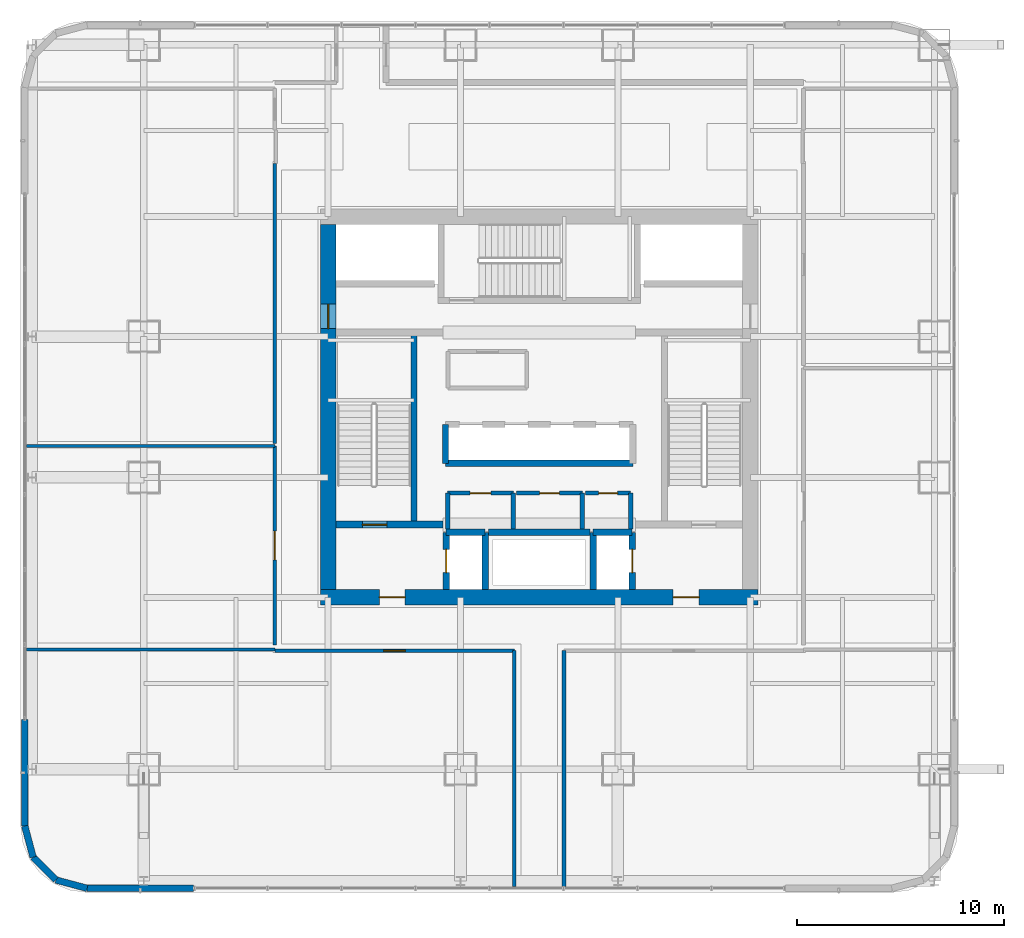
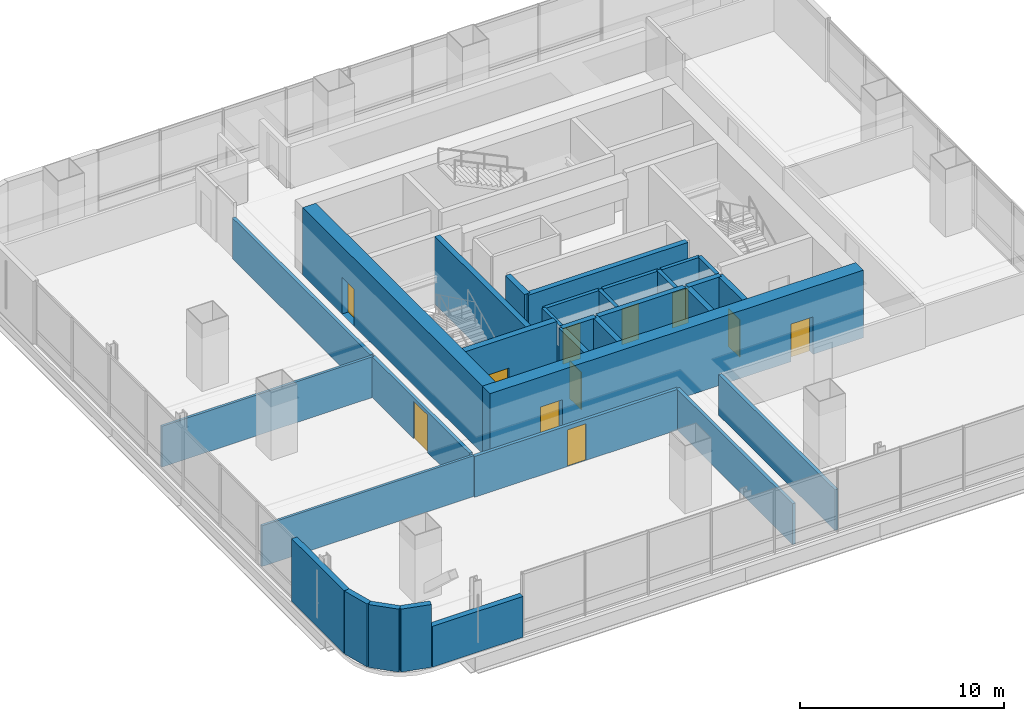
# One storey, part 29 of 45: 32 walls, 11 doors, 11 openings.
"""IFC4 building model written with IfcOpenShell, lengths in metres."""

import ifcopenshell
import ifcopenshell.guid

model = None  # the IFC model being written
_history = None  # IfcOwnerHistory: only IFC2X3 demands one
_inside = {}  # id of a spatial element -> (the spatial element, [elements in it])
_under = {}  # id of a project, library or spatial element -> (it, [spatial elements below it])
_declared = {}  # id of a project -> (the project, [libraries it declares])
_typed = {}  # id of a type object -> (the type object, [elements of that type])
_made_of = {}  # id of a material, layer set ... -> (it, [elements and type objects made of it])


def new_model(schema):
    """Start an empty IFC model of exactly this schema.

    Asked for "IFC4X3", IfcOpenShell would pick the latest addendum, in which some entities
    have other attributes; the version numbers below select the first issue.
    IFC2X3 requires an IfcOwnerHistory on every rooted entity: one is made here for all.
    """
    global model, _history
    if schema == "IFC4X3":
        model = ifcopenshell.file(schema_version=(4, 3, 0, 0))
    else:
        model = ifcopenshell.file(schema=schema)
    _inside.clear()
    _under.clear()
    _declared.clear()
    _typed.clear()
    _made_of.clear()
    _history = None
    if model.schema == "IFC2X3":
        org = make("IfcOrganization", Name="unknown")
        user = make(
            "IfcPersonAndOrganization",
            ThePerson=make("IfcPerson", FamilyName="unknown"),
            TheOrganization=org,
        )
        app = make(
            "IfcApplication",
            ApplicationDeveloper=org,
            Version="unknown",
            ApplicationFullName="unknown",
            ApplicationIdentifier="unknown",
        )
        _history = make(
            "IfcOwnerHistory",
            OwningUser=user,
            OwningApplication=app,
            ChangeAction="ADDED",
            CreationDate=0,
        )
    return model


def make(cls, **values):
    """One entity of the class cls with the attributes given. An attribute that is None is left unset."""
    return model.create_entity(
        cls, **{name: value for name, value in values.items() if value is not None}
    )


def rooted(cls, **values):
    """An entity with a GlobalId (a new one), such as an element, a storey or a relation."""
    return make(cls, GlobalId=ifcopenshell.guid.new(), OwnerHistory=_history, **values)


def si_unit(unit_type, name, prefix=None):
    """IfcSIUnit, for example si_unit("LENGTHUNIT", "METRE", prefix="MILLI")."""
    return make("IfcSIUnit", UnitType=unit_type, Prefix=prefix, Name=name)


def assignment(units):
    """IfcUnitAssignment: the units of a project."""
    return None if units is None else make("IfcUnitAssignment", Units=units)


def point(xyz):
    """IfcCartesianPoint."""
    return None if xyz is None else make("IfcCartesianPoint", Coordinates=xyz)


def direction(xyz):
    """IfcDirection."""
    return None if xyz is None else make("IfcDirection", DirectionRatios=xyz)


def frame(location, z_axis=None, x_axis=None):
    """IfcAxis2Placement3D, a coordinate frame: its origin and axes. An axis left out is left unset."""
    return make(
        "IfcAxis2Placement3D",
        Location=point(location),
        Axis=direction(z_axis),
        RefDirection=direction(x_axis),
    )


def frame_2d(location, x_axis=None):
    """IfcAxis2Placement2D, a coordinate frame in the plane: its origin and x axis."""
    return make(
        "IfcAxis2Placement2D", Location=point(location), RefDirection=direction(x_axis)
    )


def origin():
    """The frame at (0, 0, 0) with its axes left unset."""
    return frame((0.0, 0.0, 0.0))


def place(relative_to, where):
    """IfcLocalPlacement: puts the frame where relative to a parent placement (None: the world)."""
    return make(
        "IfcLocalPlacement", PlacementRelTo=relative_to, RelativePlacement=where
    )


def context(
    kind, dimensions, precision=None, world=None, true_north=None, identifier=None
):
    """IfcGeometricRepresentationContext, for example the 3D "Model" context."""
    return make(
        "IfcGeometricRepresentationContext",
        ContextIdentifier=identifier,
        ContextType=kind,
        CoordinateSpaceDimension=dimensions,
        Precision=precision,
        WorldCoordinateSystem=world,
        TrueNorth=true_north,
    )


def subcontext(parent, identifier, kind, view, scale=None):
    """IfcGeometricRepresentationSubContext, for example "Body" below "Model"."""
    return make(
        "IfcGeometricRepresentationSubContext",
        ContextIdentifier=identifier,
        ContextType=kind,
        ParentContext=parent,
        TargetScale=scale,
        TargetView=view,
    )


def project(units=None, contexts=None):
    """IfcProject with its units and contexts."""
    return rooted(
        "IfcProject",
        Name="project",
        RepresentationContexts=contexts,
        UnitsInContext=assignment(units),
    )


def spatial(cls, under=None, at=None, **own):
    """A site, building, storey or space (cls), placed at a placement, below another one or the project."""
    s = rooted(cls, ObjectPlacement=at, **own)
    if under is not None:
        _under.setdefault(under.id(), (under, []))[1].append(s)
    return s


def profile(cls, at=None, kind="AREA", **sizes):
    """A parametric profile (cls). Its sizes go by their IFC names, for example OverallWidth=200.0."""
    return make(cls, ProfileType=kind, Position=at, **sizes)


def rectangle(**sizes):
    """IfcRectangleProfileDef."""
    return profile("IfcRectangleProfileDef", **sizes)


def extrude(swept, where, along, depth):
    """IfcExtrudedAreaSolid: the profile swept, set in the frame where, extruded along a direction by depth."""
    return make(
        "IfcExtrudedAreaSolid",
        SweptArea=swept,
        Position=where,
        ExtrudedDirection=direction(along),
        Depth=depth,
    )


def shape(context_of_items, identifier, shape_type, items):
    """IfcShapeRepresentation: the items that make up one representation, for example the "Body"."""
    return make(
        "IfcShapeRepresentation",
        ContextOfItems=context_of_items,
        RepresentationIdentifier=identifier,
        RepresentationType=shape_type,
        Items=items,
    )


def material(Name=None, Category=None):
    """IfcMaterial."""
    return make("IfcMaterial", Name=Name, Category=Category)


def layer(
    of_material, thickness, ventilated=None, Name=None, Category=None, Priority=None
):
    """IfcMaterialLayer: one layer of a wall or slab, of a material (None: an air gap)."""
    return make(
        "IfcMaterialLayer",
        Material=of_material,
        LayerThickness=thickness,
        IsVentilated=ventilated,
        Name=Name,
        Category=Category,
        Priority=Priority,
    )


def layer_set(layers, Name=None):
    """IfcMaterialLayerSet."""
    return make("IfcMaterialLayerSet", MaterialLayers=layers, LayerSetName=Name)


def made_of(thing, what):
    """Note that an element or type object is made of a material, layer set ...; save() writes the relation."""
    if what is not None:
        _made_of.setdefault(what.id(), (what, []))[1].append(thing)
    return thing


def type_object(cls, material=None, **own):
    """A type object (cls), such as IfcWallType, which elements share."""
    return made_of(rooted(cls, **own), material)


def element(
    cls,
    number,
    at=None,
    inside=None,
    cuts=None,
    type_object=None,
    material=None,
    context=None,
    identifier="Body",
    shape_type=None,
    held_by="IfcProductDefinitionShape",
    body=None,
    shapes=None,
    **own,
):
    """One element of the class cls, such as IfcWall. Its Tag is "e" and its number.

    at: its placement. inside: the storey or other place that contains it. cuts: it is an
    opening in that element (IfcRelVoidsElement). A single representation is given by context,
    identifier, shape_type and body (its items); several are given by shapes. held_by: the class
    of the entity that holds the representations. save() writes the other relations.
    """
    e = rooted(cls, Tag="e%d" % number, ObjectPlacement=at, **own)
    if body is not None:
        shapes = [shape(context, identifier, shape_type, body)]
    if shapes is not None:
        e.Representation = make(held_by, Representations=shapes)
    if inside is not None:
        _inside.setdefault(inside.id(), (inside, []))[1].append(e)
    if cuts is not None:
        rooted(
            "IfcRelVoidsElement", RelatingBuildingElement=cuts, RelatedOpeningElement=e
        )
    if type_object is not None:
        _typed.setdefault(type_object.id(), (type_object, []))[1].append(e)
    return made_of(e, material)


def fill(opening, filler):
    """IfcRelFillsElement: the door or window that sits in an opening."""
    return rooted(
        "IfcRelFillsElement",
        RelatingOpeningElement=opening,
        RelatedBuildingElement=filler,
    )


def aggregate(whole, parts):
    """IfcRelAggregates: a whole, such as a stair, and the parts it consists of."""
    return rooted("IfcRelAggregates", RelatingObject=whole, RelatedObjects=parts)


def save(model, path):
    """Write the relations noted so far, then the file.

    IfcRelAggregates (storeys below a building ...), IfcRelContainedInSpatialStructure (elements
    in a storey), IfcRelDefinesByType, IfcRelAssociatesMaterial and IfcRelDeclares: one each for
    every whole, place, type object, material and project.
    """
    for whole, parts in _under.values():
        aggregate(whole, parts)
    for where, things in _inside.values():
        rooted(
            "IfcRelContainedInSpatialStructure",
            RelatedElements=things,
            RelatingStructure=where,
        )
    for kind, things in _typed.values():
        rooted("IfcRelDefinesByType", RelatedObjects=things, RelatingType=kind)
    for what, things in _made_of.values():
        rooted("IfcRelAssociatesMaterial", RelatedObjects=things, RelatingMaterial=what)
    for by, libraries in _declared.values():
        rooted("IfcRelDeclares", RelatingContext=by, RelatedDefinitions=libraries)
    model.write(path)


model = new_model("IFC4")

# Units and contexts
model_context = context("Model", 3, precision=1e-05, world=origin(), true_north=direction((0.0, 1.0)))
body_context = subcontext(model_context, "Body", "Model", "MODEL_VIEW")
ifc_project = project(units=[si_unit("LENGTHUNIT", "METRE"), si_unit("AREAUNIT", "SQUARE_METRE"), si_unit("VOLUMEUNIT", "CUBIC_METRE"), si_unit("PLANEANGLEUNIT", "RADIAN"), si_unit("MASSUNIT", "GRAM", prefix="KILO")], contexts=[model_context])

# Site, building, storey
site_placement = place(None, origin())
site = spatial("IfcSite", under=ifc_project, at=site_placement, CompositionType="ELEMENT")
building_placement = place(site_placement, origin())
building = spatial("IfcBuilding", under=site, at=building_placement, Name="Punatoya Terracotta Tower", CompositionType="ELEMENT")
storey_placement = place(building_placement, frame((0.0, 0.0, 56.550048828125)))
storey = spatial("IfcBuildingStorey", under=building, at=storey_placement, Name="L12", CompositionType="ELEMENT", Elevation=56.550048828125)

# Wall, openings, doors
ifc_material_1 = material(Name="Concrete C60/75", Category="concrete")
ifc_layer_1 = layer(ifc_material_1, 0.75)
ifc_layer_set_1 = layer_set([ifc_layer_1], Name="Concrete C60/75")
wall_type_1 = type_object("IfcWallType", Name="WL-COR-750", PredefinedType="SHEAR", material=ifc_layer_set_1)
wall_1_placement = place(storey_placement, frame((10.574951171875, -9.199951171875, 0.0), z_axis=(0.0, 0.0, 1.0), x_axis=(-1.0, 0.0, 0.0)))
wall_1 = element("IfcWall", 1, at=wall_1_placement, inside=storey, type_object=wall_type_1, Name="L12 Core Shear Wall S", PredefinedType="SHEAR", context=body_context, shape_type="SweptSolid", body=[
    extrude(rectangle(XDim=21.14990234375, YDim=0.75, at=frame_2d((10.574951171875, 0.0))), origin(), (0.0, 0.0, 1.0), 4.050048828125),
])
opening_1_placement = place(wall_1_placement, frame((2.85009765625, 0.0, 0.0)))
opening_1 = element("IfcOpeningElement", 2, at=opening_1_placement, cuts=wall_1, Name="Opening FD-L1", PredefinedType="OPENING", context=body_context, shape_type="SweptSolid", body=[
    extrude(rectangle(XDim=1.25, YDim=2.25, at=frame_2d((0.625, 1.125))), frame((0.0, 0.385009765625, 0.0), z_axis=(0.0, -1.0, 0.0), x_axis=(1.0, 0.0, 0.0)), (0.0, 0.0, 1.0), 0.77001953125),
])
opening_2_placement = place(wall_1_placement, frame((17.050048828125, 0.0, 0.0)))
opening_2 = element("IfcOpeningElement", 3, at=opening_2_placement, cuts=wall_1, Name="Opening FD-L1", PredefinedType="OPENING", context=body_context, shape_type="SweptSolid", body=[
    extrude(rectangle(XDim=1.25, YDim=2.25, at=frame_2d((0.625, 1.125))), frame((0.0, 0.385009765625, 0.0), z_axis=(0.0, -1.0, 0.0), x_axis=(1.0, 0.0, 0.0)), (0.0, 0.0, 1.0), 0.77001953125),
])
ifc_material_2 = material(Name="Galvanised Steel Smokeproof Fire Door", Category="steel")
door_type_1 = type_object("IfcDoorType", Name="DR-FFL-1250", OperationType="NOTDEFINED", PredefinedType="DOOR", material=ifc_material_2)
door_1_placement = place(opening_1_placement, origin())
door_1 = element("IfcDoor", 4, at=door_1_placement, inside=storey, type_object=door_type_1, Name="L12 East Firefighting Lobby Corridor Fire Door", OperationType="SINGLE_SWING_LEFT", OverallHeight=2.25, OverallWidth=1.25, PredefinedType="DOOR", context=body_context, shape_type="SweptSolid", body=[
    extrude(rectangle(XDim=1.25, YDim=2.25, at=frame_2d((0.625, 1.125))), frame((0.0, 0.02490234375, 0.0), z_axis=(0.0, -1.0, 0.0), x_axis=(1.0, 0.0, 0.0)), (0.0, 0.0, 1.0), 0.050048828125),
])
fill(opening_1, door_1)
door_2_placement = place(opening_2_placement, origin())
door_2 = element("IfcDoor", 5, at=door_2_placement, inside=storey, type_object=door_type_1, Name="L12 West Firefighting Lobby Corridor Fire Door", OperationType="SINGLE_SWING_RIGHT", OverallHeight=2.25, OverallWidth=1.25, PredefinedType="DOOR", context=body_context, shape_type="SweptSolid", body=[
    extrude(rectangle(XDim=1.25, YDim=2.25, at=frame_2d((0.625, 1.125))), frame((0.0, 0.02490234375, 0.0), z_axis=(0.0, -1.0, 0.0), x_axis=(1.0, 0.0, 0.0)), (0.0, 0.0, 1.0), 0.050048828125),
])
fill(opening_2, door_2)

# Wall, opening, door
wall_2_placement = place(storey_placement, frame((-10.199951171875, -8.824951171875, 0.0), z_axis=(0.0, 0.0, 1.0), x_axis=(0.0, 1.0, 0.0)))
wall_2 = element("IfcWall", 6, at=wall_2_placement, inside=storey, type_object=wall_type_1, Name="L12 Core Shear Wall W", PredefinedType="SHEAR", context=body_context, shape_type="SweptSolid", body=[
    extrude(rectangle(XDim=17.64990234375, YDim=0.75, at=frame_2d((8.824951171875, 0.0))), origin(), (0.0, 0.0, 1.0), 4.050048828125),
])
opening_3_placement = place(wall_2_placement, frame((12.614990234375, 0.0, 0.0)))
opening_3 = element("IfcOpeningElement", 7, at=opening_3_placement, cuts=wall_2, Name="Opening SD-01", PredefinedType="OPENING", context=body_context, shape_type="SweptSolid", body=[
    extrude(rectangle(XDim=1.179931640625, YDim=2.199951171875, at=frame_2d((0.58984375, 1.10009765625))), frame((0.0, 0.385009765625, 0.0), z_axis=(0.0, -1.0, 0.0), x_axis=(1.0, 0.0, 0.0)), (0.0, 0.0, 1.0), 0.77001953125),
])
ifc_material_3 = material(Name="Galvanised Steel Pressurized Stair Fire Door", Category="steel")
door_type_2 = type_object("IfcDoorType", Name="DR-STR-1180", OperationType="NOTDEFINED", PredefinedType="DOOR", material=ifc_material_3)
door_3_placement = place(opening_3_placement, origin())
door_3 = element("IfcDoor", 8, at=door_3_placement, inside=storey, type_object=door_type_2, Name="L12 Central Lift Lobby West Fire Door", OperationType="SINGLE_SWING_LEFT", OverallHeight=2.199951171875, OverallWidth=1.179931640625, PredefinedType="DOOR", context=body_context, shape_type="SweptSolid", body=[
    extrude(rectangle(XDim=1.179931640625, YDim=2.199951171875, at=frame_2d((0.58984375, 1.10009765625))), frame((0.0, 0.02490234375, 0.0), z_axis=(0.0, -1.0, 0.0), x_axis=(1.0, 0.0, 0.0)), (0.0, 0.0, 1.0), 0.050048828125),
])
fill(opening_3, door_3)

ifc_material_4 = material(Name="Gypsum Fireboard + Steel Stud", Category="steel")
ifc_layer_2 = layer(ifc_material_4, 0.179931640625)
ifc_layer_set_2 = layer_set([ifc_layer_2], Name="Gypsum Fireboard + Steel Stud")
wall_type_2 = type_object("IfcWallType", Name="WL-CORR-180", PredefinedType="PARTITIONING", material=ifc_layer_set_2)
wall_3_placement = place(storey_placement, frame((-12.77001953125, -11.77001953125, 0.0), z_axis=(0.0, 0.0, 1.0), x_axis=(1.0, 0.0, 0.0)))
wall_3 = element("IfcWall", 9, at=wall_3_placement, inside=storey, type_object=wall_type_2, Name="L12 Staff Wellness Studio Partition 12", PredefinedType="PARTITIONING", context=body_context, shape_type="SweptSolid", body=[
    extrude(rectangle(XDim=11.570068359375, YDim=0.179931640625, at=frame_2d((5.78515625, 0.0))), origin(), (0.0, 0.0, 1.0), 2.44384765625),
])
opening_4_placement = place(wall_3_placement, frame((5.260009765625, 0.0, 0.0)))
opening_4 = element("IfcOpeningElement", 10, at=opening_4_placement, cuts=wall_3, Name="Opening OD-01", PredefinedType="OPENING", context=body_context, shape_type="SweptSolid", body=[
    extrude(rectangle(XDim=1.050048828125, YDim=2.199951171875, at=frame_2d((0.52490234375, 1.10009765625))), frame((0.0, 0.099853515625, 0.0), z_axis=(0.0, -1.0, 0.0), x_axis=(1.0, 0.0, 0.0)), (0.0, 0.0, 1.0), 0.199951171875),
])
ifc_material_5 = material(Name="Bengal Teak Solid-Core Leaf")
door_type_3 = type_object("IfcDoorType", Name="DR-OFF-1050", OperationType="NOTDEFINED", PredefinedType="DOOR", material=ifc_material_5)
door_4_placement = place(opening_4_placement, origin())
door_4 = element("IfcDoor", 11, at=door_4_placement, inside=storey, type_object=door_type_3, Name="L12 Staff Wellness Studio Door", OperationType="SINGLE_SWING_LEFT", OverallHeight=2.199951171875, OverallWidth=1.050048828125, PredefinedType="DOOR", context=body_context, shape_type="SweptSolid", body=[
    extrude(rectangle(XDim=1.050048828125, YDim=2.199951171875, at=frame_2d((0.52490234375, 1.10009765625))), frame((0.0, 0.02490234375, 0.0), z_axis=(0.0, -1.0, 0.0), x_axis=(1.0, 0.0, 0.0)), (0.0, 0.0, 1.0), 0.050048828125),
])
fill(opening_4, door_4)

# Walls
for number, where, z_axis, x_axis, name in (
    (12, (-1.199951171875, -11.77001953125, 0.0), (0.0, 0.0, 1.0), (0.0, -1.0, 0.0), "L12 Staff Wellness Studio Partition 13"),
    (13, (1.199951171875, -23.169921875, 0.0), (0.0, 0.0, 1.0), (0.0, 1.0, 0.0), "L12 Occupational Rest Lounge Partition 17"),
):
    element("IfcWall", number, at=place(storey_placement, frame(where, z_axis=z_axis, x_axis=x_axis)), inside=storey, type_object=wall_type_2, Name=name, PredefinedType="PARTITIONING", context=body_context, shape_type="SweptSolid", body=[
        extrude(rectangle(XDim=11.39990234375, YDim=0.179931640625, at=frame_2d((5.699951171875, 0.0))), origin(), (0.0, 0.0, 1.0), 2.44384765625),
    ])

# Wall, opening, door
wall_4_placement = place(storey_placement, frame((-12.77001953125, -1.889892578125, 0.0), z_axis=(0.0, 0.0, 1.0), x_axis=(0.0, -1.0, 0.0)))
wall_4 = element("IfcWall", 14, at=wall_4_placement, inside=storey, type_object=wall_type_2, Name="L12 Open-Plan Cultural History Classroom Partition 19", PredefinedType="PARTITIONING", context=body_context, shape_type="SweptSolid", body=[
    extrude(rectangle(XDim=9.60009765625, YDim=0.179931640625, at=frame_2d((4.800048828125, 0.0))), origin(), (0.0, 0.0, 1.0), 2.44384765625),
])
opening_5_placement = place(wall_4_placement, frame((4.10009765625, 0.0, 0.0)))
opening_5 = element("IfcOpeningElement", 15, at=opening_5_placement, cuts=wall_4, Name="Opening BD-01", PredefinedType="OPENING", context=body_context, shape_type="SweptSolid", body=[
    extrude(rectangle(XDim=1.39990234375, YDim=2.25, at=frame_2d((0.699951171875, 1.125))), frame((0.0, 0.099853515625, 0.0), z_axis=(0.0, -1.0, 0.0), x_axis=(1.0, 0.0, 0.0)), (0.0, 0.0, 1.0), 0.199951171875),
])
ifc_material_6 = material(Name="Bengal Teak Acoustic Leaf")
door_type_4 = type_object("IfcDoorType", Name="DR-BRD-1400", OperationType="NOTDEFINED", PredefinedType="DOOR", material=ifc_material_6)
door_5_placement = place(opening_5_placement, origin())
door_5 = element("IfcDoor", 16, at=door_5_placement, inside=storey, type_object=door_type_4, Name="L12 Open-Plan Cultural History Classroom Door", OperationType="SINGLE_SWING_LEFT", OverallHeight=2.25, OverallWidth=1.39990234375, PredefinedType="DOOR", context=body_context, shape_type="SweptSolid", body=[
    extrude(rectangle(XDim=1.39990234375, YDim=2.25, at=frame_2d((0.699951171875, 1.125))), frame((0.0, 0.02490234375, 0.0), z_axis=(0.0, -1.0, 0.0), x_axis=(1.0, 0.0, 0.0)), (0.0, 0.0, 1.0), 0.050048828125),
])
fill(opening_5, door_5)

# Walls
wall_5_placement = place(storey_placement, frame((-12.77001953125, 11.77001953125, 0.0), z_axis=(0.0, 0.0, 1.0), x_axis=(0.0, -1.0, 0.0)))
element("IfcWall", 17, at=wall_5_placement, inside=storey, type_object=wall_type_2, Name="L12 Nutrition Tea Pantry Partition 25", PredefinedType="PARTITIONING", context=body_context, shape_type="SweptSolid", body=[
    extrude(rectangle(XDim=13.5400390625, YDim=0.179931640625, at=frame_2d((6.77001953125, 0.0))), origin(), (0.0, 0.0, 1.0), 2.44384765625),
])
ifc_material_7 = material(Name="Precast concrete C40/50", Category="concrete")
ifc_layer_3 = layer(ifc_material_7, 0.320068359375)
ifc_layer_set_3 = layer_set([ifc_layer_3], Name="Precast concrete C40/50")
wall_type_3 = type_object("IfcWallType", Name="WL-EXT-320", PredefinedType="SOLIDWALL", material=ifc_layer_set_3)
wall_6_placement = place(storey_placement, frame((-21.8369140625, -23.25, 0.0), z_axis=(0.0, 0.0, 1.0), x_axis=(1.0, 0.0, 0.0)))
element("IfcWall", 18, at=wall_6_placement, inside=storey, type_object=wall_type_3, Name="L12 Terracotta Braced Facade Wall S1", PredefinedType="SOLIDWALL", context=body_context, shape_type="SweptSolid", body=[
    extrude(rectangle(XDim=5.136962890625, YDim=0.320068359375, at=frame_2d((2.568359375, 0.0))), origin(), (0.0, 0.0, 1.0), 2.44384765625),
])
wall_7_placement = place(storey_placement, frame((-24.85009765625, -15.10009765625, 0.0), z_axis=(0.0, 0.0, 1.0), x_axis=(0.0, -1.0, 0.0)))
element("IfcWall", 19, at=wall_7_placement, inside=storey, type_object=wall_type_3, Name="L12 Terracotta Braced Facade Wall W2", PredefinedType="SOLIDWALL", context=body_context, shape_type="SweptSolid", body=[
    extrude(rectangle(XDim=5.13671875, YDim=0.320068359375, at=frame_2d((2.568359375, 0.0))), origin(), (0.0, 0.0, 1.0), 3.77001953125),
])
wall_8_placement = place(storey_placement, frame((-24.85009765625, -20.23681640625, 0.0), z_axis=(0.0, 0.0, 1.0), x_axis=(0.257847112249, -0.966185730957, 0.0)))
element("IfcWall", 20, at=wall_8_placement, inside=storey, type_object=wall_type_3, Name="L12 Rounded Terracotta Corner Pier 14", PredefinedType="SOLIDWALL", context=body_context, shape_type="SweptSolid", body=[
    extrude(rectangle(XDim=1.565185546875, YDim=0.320068359375, at=frame_2d((0.78271484375, 0.0))), origin(), (0.0, 0.0, 1.0), 3.77001953125),
])
wall_9_placement = place(storey_placement, frame((-24.446533203125, -21.7490234375, 0.0), z_axis=(0.0, 0.0, 1.0), x_axis=(0.707028130747, -0.707185422879, 0.0)))
element("IfcWall", 21, at=wall_9_placement, inside=storey, type_object=wall_type_3, Name="L12 Rounded Terracotta Corner Pier 15", PredefinedType="SOLIDWALL", context=body_context, shape_type="SweptSolid", body=[
    extrude(rectangle(XDim=1.55224609375, YDim=0.320068359375, at=frame_2d((0.776123046875, 0.0))), origin(), (0.0, 0.0, 1.0), 3.77001953125),
])
wall_10_placement = place(storey_placement, frame((-23.34912109375, -22.8466796875, 0.0), z_axis=(0.0, 0.0, 1.0), x_axis=(0.966224582397, -0.257701486942, 0.0)))
element("IfcWall", 22, at=wall_10_placement, inside=storey, type_object=wall_type_3, Name="L12 Rounded Terracotta Corner Pier 16", PredefinedType="SOLIDWALL", context=body_context, shape_type="SweptSolid", body=[
    extrude(rectangle(XDim=1.565185546875, YDim=0.320068359375, at=frame_2d((0.78271484375, 0.0))), origin(), (0.0, 0.0, 1.0), 3.77001953125),
])
ifc_material_8 = material(Name="Concrete C40/50", Category="concrete")
ifc_layer_4 = layer(ifc_material_8, 0.199951171875)
ifc_layer_set_4 = layer_set([ifc_layer_4], Name="Concrete C40/50")
wall_type_4 = type_object("IfcWallType", Name="WL-INT-200", PredefinedType="SOLIDWALL", material=ifc_layer_set_4)
wall_11_placement = place(storey_placement, frame((-1.25, -5.89990234375, 0.0), z_axis=(0.0, 0.0, 1.0), x_axis=(0.0, 1.0, 0.0)))
element("IfcWall", 23, at=wall_11_placement, inside=storey, type_object=wall_type_4, Name="L12 Accessible Universal Washroom Partition 01", PredefinedType="SOLIDWALL", context=body_context, shape_type="SweptSolid", body=[
    extrude(rectangle(XDim=1.739990234375, YDim=0.199951171875, at=frame_2d((0.8701171875, 0.0))), origin(), (0.0, 0.0, 1.0), 3.77001953125),
])

# Wall, opening, door
wall_12_placement = place(storey_placement, frame((-1.25, -4.159912109375, 0.0), z_axis=(0.0, 0.0, 1.0), x_axis=(-1.0, 0.0, 0.0)))
wall_12 = element("IfcWall", 24, at=wall_12_placement, inside=storey, type_object=wall_type_4, Name="L12 Accessible Universal Washroom Partition 02", PredefinedType="SOLIDWALL", context=body_context, shape_type="SweptSolid", body=[
    extrude(rectangle(XDim=3.169921875, YDim=0.199951171875, at=frame_2d((1.5849609375, 0.0))), origin(), (0.0, 0.0, 1.0), 3.77001953125),
])
opening_6_placement = place(wall_12_placement, frame((1.0849609375, 0.0, 0.0)))
opening_6 = element("IfcOpeningElement", 25, at=opening_6_placement, cuts=wall_12, Name="Opening AWD-1", PredefinedType="OPENING", context=body_context, shape_type="SweptSolid", body=[
    extrude(rectangle(XDim=1.0, YDim=2.14990234375, at=frame_2d((0.5, 1.074951171875))), frame((0.0, 0.10986328125, 0.0), z_axis=(0.0, -1.0, 0.0), x_axis=(1.0, 0.0, 0.0)), (0.0, 0.0, 1.0), 0.219970703125),
])
ifc_material_9 = material(Name="Bengal Teak Accessible WC Leaf")
door_type_5 = type_object("IfcDoorType", Name="DR-ACC-1000", OperationType="NOTDEFINED", PredefinedType="DOOR", material=ifc_material_9)
door_6_placement = place(opening_6_placement, origin())
door_6 = element("IfcDoor", 26, at=door_6_placement, inside=storey, type_object=door_type_5, Name="L12 Accessible Universal Washroom Door", OperationType="SINGLE_SWING_LEFT", OverallHeight=2.14990234375, OverallWidth=1.0, PredefinedType="DOOR", context=body_context, shape_type="SweptSolid", body=[
    extrude(rectangle(XDim=1.0, YDim=2.14990234375, at=frame_2d((0.5, 1.074951171875))), frame((0.0, 0.02490234375, 0.0), z_axis=(0.0, -1.0, 0.0), x_axis=(1.0, 0.0, 0.0)), (0.0, 0.0, 1.0), 0.050048828125),
])
fill(opening_6, door_6)

# Walls
for number, where, z_axis, x_axis, name in (
    (27, (-4.419921875, -4.159912109375, 0.0), (0.0, 0.0, 1.0), (0.0, -1.0, 0.0), "L12 Accessible Universal Washroom Partition 03"),
    (28, (2.080078125, -5.89990234375, 0.0), (0.0, 0.0, 1.0), (0.0, 1.0, 0.0), "L12 All-Gender Universal Washroom Partition 04"),
):
    element("IfcWall", number, at=place(storey_placement, frame(where, z_axis=z_axis, x_axis=x_axis)), inside=storey, type_object=wall_type_4, Name=name, PredefinedType="SOLIDWALL", context=body_context, shape_type="SweptSolid", body=[
        extrude(rectangle(XDim=1.739990234375, YDim=0.199951171875, at=frame_2d((0.8701171875, 0.0))), origin(), (0.0, 0.0, 1.0), 3.77001953125),
    ])

# Wall, opening, door
wall_13_placement = place(storey_placement, frame((2.080078125, -4.159912109375, 0.0), z_axis=(0.0, 0.0, 1.0), x_axis=(-1.0, 0.0, 0.0)))
wall_13 = element("IfcWall", 29, at=wall_13_placement, inside=storey, type_object=wall_type_4, Name="L12 All-Gender Universal Washroom Partition 05", PredefinedType="SOLIDWALL", context=body_context, shape_type="SweptSolid", body=[
    extrude(rectangle(XDim=3.170166015625, YDim=0.199951171875, at=frame_2d((1.5849609375, 0.0))), origin(), (0.0, 0.0, 1.0), 3.77001953125),
])
opening_7_placement = place(wall_13_placement, frame((1.110107421875, 0.0, 0.0)))
opening_7 = element("IfcOpeningElement", 30, at=opening_7_placement, cuts=wall_13, Name="Opening WD-01", PredefinedType="OPENING", context=body_context, shape_type="SweptSolid", body=[
    extrude(rectangle(XDim=0.949951171875, YDim=2.14990234375, at=frame_2d((0.47509765625, 1.074951171875))), frame((0.0, 0.10986328125, 0.0), z_axis=(0.0, -1.0, 0.0), x_axis=(1.0, 0.0, 0.0)), (0.0, 0.0, 1.0), 0.219970703125),
])
ifc_material_10 = material(Name="Moisture-Resistant Laminate Timber Leaf", Category="wood")
door_type_6 = type_object("IfcDoorType", Name="DR-WC-950", OperationType="NOTDEFINED", PredefinedType="DOOR", material=ifc_material_10)
door_7_placement = place(opening_7_placement, origin())
door_7 = element("IfcDoor", 31, at=door_7_placement, inside=storey, type_object=door_type_6, Name="L12 All-Gender Universal Washroom Door", OperationType="SINGLE_SWING_RIGHT", OverallHeight=2.14990234375, OverallWidth=0.949951171875, PredefinedType="DOOR", context=body_context, shape_type="SweptSolid", body=[
    extrude(rectangle(XDim=0.949951171875, YDim=2.14990234375, at=frame_2d((0.47509765625, 1.074951171875))), frame((0.0, 0.02490234375, 0.0), z_axis=(0.0, -1.0, 0.0), x_axis=(1.0, 0.0, 0.0)), (0.0, 0.0, 1.0), 0.050048828125),
])
fill(opening_7, door_7)

# Wall
wall_14_placement = place(storey_placement, frame((4.419921875, -5.89990234375, 0.0), z_axis=(0.0, 0.0, 1.0), x_axis=(0.0, 1.0, 0.0)))
element("IfcWall", 32, at=wall_14_placement, inside=storey, type_object=wall_type_4, Name="L12 Core Electrical Switchgear Room Partition 06", PredefinedType="SOLIDWALL", context=body_context, shape_type="SweptSolid", body=[
    extrude(rectangle(XDim=1.739990234375, YDim=0.199951171875, at=frame_2d((0.8701171875, 0.0))), origin(), (0.0, 0.0, 1.0), 3.77001953125),
])

# Wall, opening, door
wall_15_placement = place(storey_placement, frame((4.419921875, -4.159912109375, 0.0), z_axis=(0.0, 0.0, 1.0), x_axis=(-1.0, 0.0, 0.0)))
wall_15 = element("IfcWall", 33, at=wall_15_placement, inside=storey, type_object=wall_type_4, Name="L12 Core Electrical Switchgear Room Partition 07", PredefinedType="SOLIDWALL", context=body_context, shape_type="SweptSolid", body=[
    extrude(rectangle(XDim=2.179931640625, YDim=0.199951171875, at=frame_2d((1.08984375, 0.0))), origin(), (0.0, 0.0, 1.0), 3.77001953125),
])
opening_8_placement = place(wall_15_placement, frame((0.6298828125, 0.0, 0.0)))
opening_8 = element("IfcOpeningElement", 34, at=opening_8_placement, cuts=wall_15, Name="Opening FD-R1", PredefinedType="OPENING", context=body_context, shape_type="SweptSolid", body=[
    extrude(rectangle(XDim=0.919921875, YDim=2.10009765625, at=frame_2d((0.4599609375, 1.050048828125))), frame((0.0, 0.10986328125, 0.0), z_axis=(0.0, -1.0, 0.0), x_axis=(1.0, 0.0, 0.0)), (0.0, 0.0, 1.0), 0.219970703125),
])
ifc_material_11 = material(Name="Galvanised Steel Riser Fire Access Door", Category="steel")
door_type_7 = type_object("IfcDoorType", Name="DR-RSR-920", OperationType="NOTDEFINED", PredefinedType="DOOR", material=ifc_material_11)
door_8_placement = place(opening_8_placement, origin())
door_8 = element("IfcDoor", 35, at=door_8_placement, inside=storey, type_object=door_type_7, Name="L12 Core Electrical Switchgear Room Fire Door", OperationType="SINGLE_SWING_LEFT", OverallHeight=2.10009765625, OverallWidth=0.919921875, PredefinedType="DOOR", context=body_context, shape_type="SweptSolid", body=[
    extrude(rectangle(XDim=0.919921875, YDim=2.10009765625, at=frame_2d((0.4599609375, 1.050048828125))), frame((0.0, 0.02490234375, 0.0), z_axis=(0.0, -1.0, 0.0), x_axis=(1.0, 0.0, 0.0)), (0.0, 0.0, 1.0), 0.050048828125),
])
fill(opening_8, door_8)

# Walls
ifc_material_12 = material(Name="Acoustic Gypsum + Steel Stud", Category="steel")
ifc_layer_5 = layer(ifc_material_12, 0.139892578125)
ifc_layer_set_5 = layer_set([ifc_layer_5], Name="Acoustic Gypsum + Steel Stud")
wall_type_5 = type_object("IfcWallType", Name="WL-OFF-140", PredefinedType="PARTITIONING", material=ifc_layer_set_5)
for number, where, z_axis, x_axis, name in (
    (36, (-24.77001953125, -11.7099609375, 0.0), (0.0, 0.0, 1.0), (1.0, 0.0, 0.0), "L12 Staff Wellness Studio Partition 14"),
    (37, (-24.77001953125, -1.889892578125, 0.0), (0.0, 0.0, 1.0), (1.0, 0.0, 0.0), "L12 Open-Plan Cultural History Classroom Partition 18"),
):
    element("IfcWall", number, at=place(storey_placement, frame(where, z_axis=z_axis, x_axis=x_axis)), inside=storey, type_object=wall_type_5, Name=name, PredefinedType="PARTITIONING", context=body_context, shape_type="SweptSolid", body=[
        extrude(rectangle(XDim=12.0, YDim=0.139892578125, at=frame_2d((6.0, 0.0))), origin(), (0.0, 0.0, 1.0), 2.44384765625),
    ])
ifc_layer_6 = layer(ifc_material_8, 0.300048828125)
ifc_layer_set_6 = layer_set([ifc_layer_6], Name="Concrete C40/50")
wall_type_6 = type_object("IfcWallType", Name="WL-SHF-300", PredefinedType="SOLIDWALL", material=ifc_layer_set_6)
wall_16_placement = place(storey_placement, frame((-6.050048828125, -5.5, 0.0), z_axis=(0.0, 0.0, 1.0), x_axis=(0.0, 1.0, 0.0)))
element("IfcWall", 38, at=wall_16_placement, inside=storey, type_object=wall_type_6, Name="L12 Structural Stair Shaft Wall SW-ST1-E", PredefinedType="SOLIDWALL", context=body_context, shape_type="SweptSolid", body=[
    extrude(rectangle(XDim=8.949951171875, YDim=0.300048828125, at=frame_2d((4.47509765625, 0.0))), origin(), (0.0, 0.0, 1.0), 4.050048828125),
])

# Wall, opening, door
wall_17_placement = place(storey_placement, frame((-4.489990234375, -8.820068359375, 0.0), z_axis=(0.0, 0.0, 1.0), x_axis=(0.0, 1.0, 0.0)))
wall_17 = element("IfcWall", 39, at=wall_17_placement, inside=storey, type_object=wall_type_6, Name="L12 FFL-1 Front Hoistway Wall", PredefinedType="SOLIDWALL", context=body_context, shape_type="SweptSolid", body=[
    extrude(rectangle(XDim=2.77001953125, YDim=0.300048828125, at=frame_2d((1.385009765625, 0.0))), origin(), (0.0, 0.0, 1.0), 3.77001953125),
])
opening_9_placement = place(wall_17_placement, frame((0.824951171875, 0.0, 0.0)))
opening_9 = element("IfcOpeningElement", 40, at=opening_9_placement, cuts=wall_17, Name="Opening LD-02", PredefinedType="OPENING", context=body_context, shape_type="SweptSolid", body=[
    extrude(rectangle(XDim=1.1201171875, YDim=2.25, at=frame_2d((0.56005859375, 1.125))), frame((0.0, 0.159912109375, 0.0), z_axis=(0.0, -1.0, 0.0), x_axis=(1.0, 0.0, 0.0)), (0.0, 0.0, 1.0), 0.320068359375),
])
ifc_material_13 = material(Name="Stainless Steel Lift Landing Door", Category="steel")
door_type_8 = type_object("IfcDoorType", Name="DR-LND-1120", OperationType="NOTDEFINED", PredefinedType="DOOR", material=ifc_material_13)
door_9_placement = place(opening_9_placement, origin())
door_9 = element("IfcDoor", 41, at=door_9_placement, inside=storey, type_object=door_type_8, Name="L12 Firefighting Lift FFL-1 Sliding Landing Door", OperationType="SLIDING_TO_LEFT", OverallHeight=2.25, OverallWidth=1.1201171875, PredefinedType="DOOR", context=body_context, shape_type="SweptSolid", body=[
    extrude(rectangle(XDim=1.1201171875, YDim=2.25, at=frame_2d((0.56005859375, 1.125))), frame((0.0, 0.02490234375, 0.0), z_axis=(0.0, -1.0, 0.0), x_axis=(1.0, 0.0, 0.0)), (0.0, 0.0, 1.0), 0.050048828125),
])
fill(opening_9, door_9)

# Walls
wall_18_placement = place(storey_placement, frame((-2.610107421875, -8.820068359375, 0.0), z_axis=(0.0, 0.0, 1.0), x_axis=(0.0, 1.0, 0.0)))
element("IfcWall", 42, at=wall_18_placement, inside=storey, type_object=wall_type_6, Name="L12 FFL-1 Rear Hoistway Wall", PredefinedType="SOLIDWALL", context=body_context, shape_type="SweptSolid", body=[
    extrude(rectangle(XDim=2.77001953125, YDim=0.300048828125, at=frame_2d((1.385009765625, 0.0))), origin(), (0.0, 0.0, 1.0), 3.77001953125),
])
wall_19_placement = place(storey_placement, frame((-4.489990234375, -6.050048828125, 0.0), z_axis=(0.0, 0.0, 1.0), x_axis=(1.0, 0.0, 0.0)))
element("IfcWall", 43, at=wall_19_placement, inside=storey, type_object=wall_type_6, Name="L12 FFL-1 North Hoistway Wall", PredefinedType="SOLIDWALL", context=body_context, shape_type="SweptSolid", body=[
    extrude(rectangle(XDim=1.8798828125, YDim=0.300048828125, at=frame_2d((0.93994140625, 0.0))), origin(), (0.0, 0.0, 1.0), 3.77001953125),
])

# Wall, opening, door
wall_20_placement = place(storey_placement, frame((4.489990234375, -8.820068359375, 0.0), z_axis=(0.0, 0.0, 1.0), x_axis=(0.0, 1.0, 0.0)))
wall_20 = element("IfcWall", 44, at=wall_20_placement, inside=storey, type_object=wall_type_6, Name="L12 FFL-2 Front Hoistway Wall", PredefinedType="SOLIDWALL", context=body_context, shape_type="SweptSolid", body=[
    extrude(rectangle(XDim=2.77001953125, YDim=0.300048828125, at=frame_2d((1.385009765625, 0.0))), origin(), (0.0, 0.0, 1.0), 3.77001953125),
])
opening_10_placement = place(wall_20_placement, frame((0.824951171875, 0.0, 0.0)))
opening_10 = element("IfcOpeningElement", 45, at=opening_10_placement, cuts=wall_20, Name="Opening LD-02", PredefinedType="OPENING", context=body_context, shape_type="SweptSolid", body=[
    extrude(rectangle(XDim=1.1201171875, YDim=2.25, at=frame_2d((0.56005859375, 1.125))), frame((0.0, 0.159912109375, 0.0), z_axis=(0.0, -1.0, 0.0), x_axis=(1.0, 0.0, 0.0)), (0.0, 0.0, 1.0), 0.320068359375),
])
door_10_placement = place(opening_10_placement, origin())
door_10 = element("IfcDoor", 46, at=door_10_placement, inside=storey, type_object=door_type_8, Name="L12 Firefighting Lift FFL-2 Sliding Landing Door", OperationType="SLIDING_TO_RIGHT", OverallHeight=2.25, OverallWidth=1.1201171875, PredefinedType="DOOR", context=body_context, shape_type="SweptSolid", body=[
    extrude(rectangle(XDim=1.1201171875, YDim=2.25, at=frame_2d((0.56005859375, 1.125))), frame((0.0, 0.02490234375, 0.0), z_axis=(0.0, -1.0, 0.0), x_axis=(1.0, 0.0, 0.0)), (0.0, 0.0, 1.0), 0.050048828125),
])
fill(opening_10, door_10)

# Walls
wall_21_placement = place(storey_placement, frame((2.610107421875, -8.820068359375, 0.0), z_axis=(0.0, 0.0, 1.0), x_axis=(0.0, 1.0, 0.0)))
element("IfcWall", 47, at=wall_21_placement, inside=storey, type_object=wall_type_6, Name="L12 FFL-2 Rear Hoistway Wall", PredefinedType="SOLIDWALL", context=body_context, shape_type="SweptSolid", body=[
    extrude(rectangle(XDim=2.77001953125, YDim=0.300048828125, at=frame_2d((1.385009765625, 0.0))), origin(), (0.0, 0.0, 1.0), 3.77001953125),
])
wall_22_placement = place(storey_placement, frame((2.610107421875, -6.050048828125, 0.0), z_axis=(0.0, 0.0, 1.0), x_axis=(1.0, 0.0, 0.0)))
element("IfcWall", 48, at=wall_22_placement, inside=storey, type_object=wall_type_6, Name="L12 FFL-2 North Hoistway Wall", PredefinedType="SOLIDWALL", context=body_context, shape_type="SweptSolid", body=[
    extrude(rectangle(XDim=1.8798828125, YDim=0.300048828125, at=frame_2d((0.93994140625, 0.0))), origin(), (0.0, 0.0, 1.0), 3.77001953125),
])
wall_23_placement = place(storey_placement, frame((-4.52001953125, -2.719970703125, 0.0), z_axis=(0.0, 0.0, 1.0), x_axis=(1.0, 0.0, 0.0)))
element("IfcWall", 49, at=wall_23_placement, inside=storey, type_object=wall_type_6, Name="L12 South Lift Bank Rear Shaft Wall", PredefinedType="SOLIDWALL", context=body_context, shape_type="SweptSolid", body=[
    extrude(rectangle(XDim=9.0400390625, YDim=0.300048828125, at=frame_2d((4.52001953125, 0.0))), origin(), (0.0, 0.0, 1.0), 3.77001953125),
])
wall_24_placement = place(storey_placement, frame((-4.52001953125, -2.719970703125, 0.0), z_axis=(0.0, 0.0, 1.0), x_axis=(0.0, 1.0, 0.0)))
element("IfcWall", 50, at=wall_24_placement, inside=storey, type_object=wall_type_6, Name="L12 South Lift Bank West End Wall", PredefinedType="SOLIDWALL", context=body_context, shape_type="SweptSolid", body=[
    extrude(rectangle(XDim=1.8798828125, YDim=0.300048828125, at=frame_2d((0.93994140625, 0.0))), origin(), (0.0, 0.0, 1.0), 3.77001953125),
])
wall_25_placement = place(storey_placement, frame((-2.449951171875, -6.050048828125, 0.0), z_axis=(0.0, 0.0, 1.0), x_axis=(1.0, 0.0, 0.0)))
element("IfcWall", 51, at=wall_25_placement, inside=storey, type_object=wall_type_6, Name="L12 Observation Shuttle Rear Hoistway Wall", PredefinedType="SOLIDWALL", context=body_context, shape_type="SweptSolid", body=[
    extrude(rectangle(XDim=4.89990234375, YDim=0.300048828125, at=frame_2d((2.449951171875, 0.0))), origin(), (0.0, 0.0, 1.0), 3.77001953125),
])

# Wall, opening, door
ifc_material_14 = material(Name="Concrete C50/60", Category="concrete")
ifc_layer_7 = layer(ifc_material_14, 0.35009765625)
ifc_layer_set_7 = layer_set([ifc_layer_7], Name="Concrete C50/60")
wall_type_7 = type_object("IfcWallType", Name="WL-SHF-350", PredefinedType="SOLIDWALL", material=ifc_layer_set_7)
wall_26_placement = place(storey_placement, frame((-9.824951171875, -5.679931640625, 0.0), z_axis=(0.0, 0.0, 1.0), x_axis=(1.0, 0.0, 0.0)))
wall_26 = element("IfcWall", 52, at=wall_26_placement, inside=storey, type_object=wall_type_7, Name="L12 Core Web Wall CSW-L", PredefinedType="SOLIDWALL", context=body_context, shape_type="SweptSolid", body=[
    extrude(rectangle(XDim=5.175048828125, YDim=0.35009765625, at=frame_2d((2.58740234375, 0.0))), origin(), (0.0, 0.0, 1.0), 4.050048828125),
])
opening_11_placement = place(wall_26_placement, frame((1.284912109375, 0.0, 0.0)))
opening_11 = element("IfcOpeningElement", 53, at=opening_11_placement, cuts=wall_26, Name="Opening SD-01", PredefinedType="OPENING", context=body_context, shape_type="SweptSolid", body=[
    extrude(rectangle(XDim=1.179931640625, YDim=2.199951171875, at=frame_2d((0.58984375, 1.10009765625))), frame((0.0, 0.18505859375, 0.0), z_axis=(0.0, -1.0, 0.0), x_axis=(1.0, 0.0, 0.0)), (0.0, 0.0, 1.0), 0.3701171875),
])
door_11_placement = place(opening_11_placement, origin())
door_11 = element("IfcDoor", 54, at=door_11_placement, inside=storey, type_object=door_type_2, Name="L12 Stair ST-1 Smokeproof Lobby Fire Door", OperationType="SINGLE_SWING_LEFT", OverallHeight=2.199951171875, OverallWidth=1.179931640625, PredefinedType="DOOR", context=body_context, shape_type="SweptSolid", body=[
    extrude(rectangle(XDim=1.179931640625, YDim=2.199951171875, at=frame_2d((0.58984375, 1.10009765625))), frame((0.0, 0.02490234375, 0.0), z_axis=(0.0, -1.0, 0.0), x_axis=(1.0, 0.0, 0.0)), (0.0, 0.0, 1.0), 0.050048828125),
])
fill(opening_11, door_11)

save(model, "model.ifc")
